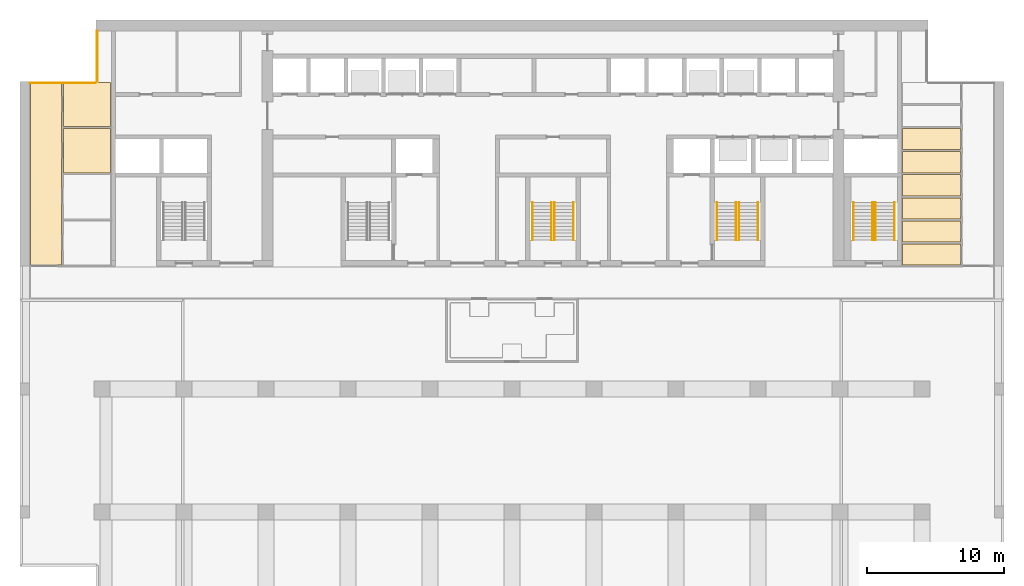
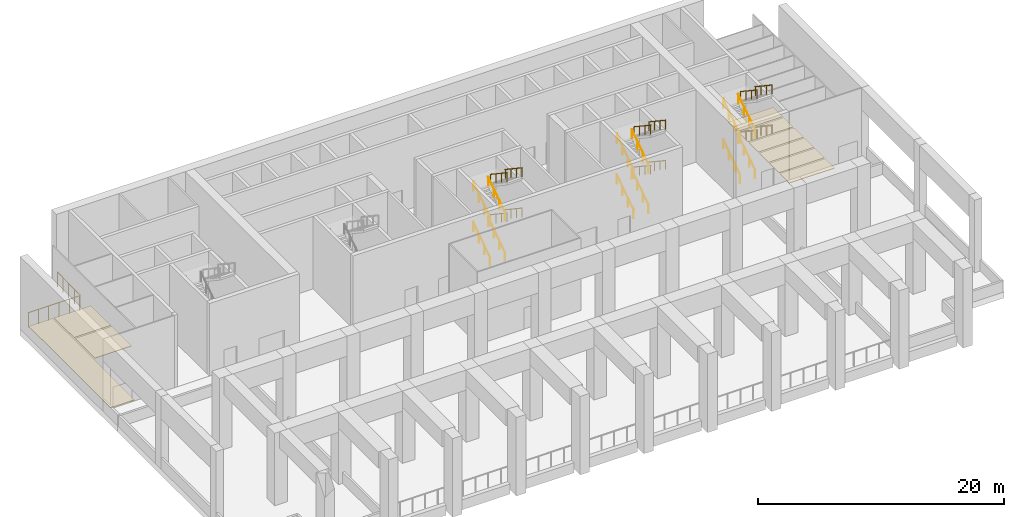
# One storey, part 8 of 10: 26 railings, 9 coverings, 3 elements without a shape of their own.
"""IFC4 building model written with IfcOpenShell, lengths in metres."""

from ifc_helpers import new_model, si_unit, direction, frame, origin, origin_2d, place, context, subcontext, project, spatial, polyline, circle, outline, extrude, material, layer, layer_set, type_object, element, aggregate, save


model = new_model("IFC4")

# Units and contexts
model_context = context("Model", 3, precision=1e-05, world=origin(), true_north=direction((0.0, 1.0)))
body_context = subcontext(model_context, "Body", "Model", "MODEL_VIEW")
ifc_project = project(units=[si_unit("LENGTHUNIT", "METRE"), si_unit("AREAUNIT", "SQUARE_METRE"), si_unit("VOLUMEUNIT", "CUBIC_METRE"), si_unit("PLANEANGLEUNIT", "RADIAN"), si_unit("MASSUNIT", "GRAM", prefix="KILO")], contexts=[model_context])

# Site, building, storey
site_placement = place(None, origin())
site = spatial("IfcSite", under=ifc_project, at=site_placement, CompositionType="ELEMENT")
building_placement = place(site_placement, origin())
building = spatial("IfcBuilding", under=site, at=building_placement, Name="Calvaro Tower", CompositionType="ELEMENT")
storey_placement = place(building_placement, frame((0.0, 0.0, 158.75)))
storey = spatial("IfcBuildingStorey", under=building, at=storey_placement, Name="L40", CompositionType="ELEMENT", Elevation=158.75)

# Coverings
ifc_material_1 = material(Name="Cement screed with carpet tile finish")
ifc_layer = layer(ifc_material_1, 0.050048828125)
ifc_layer_set = layer_set([ifc_layer], Name="Cement screed with carpet tile finish")
covering_type = type_object("IfcCoveringType", Name="Floor finish 50", PredefinedType="FLOORING", material=ifc_layer_set)
covering_1_placement = place(storey_placement, origin())
element("IfcCovering", 1, at=covering_1_placement, inside=storey, type_object=covering_type, Name="Floor finish 24.02", PredefinedType="FLOORING", context=body_context, shape_type="SweptSolid", body=[
    extrude(outline(polyline([(0.77001953125, 28.070068359375), (0.77001953125, 41.429931640625), (3.030029296875, 41.429931640625), (3.030029296875, 28.070068359375), (0.77001953125, 28.070068359375)])), origin(), (0.0, 0.0, 1.0), 0.050048828125),
])
covering_2_placement = place(storey_placement, origin())
element("IfcCovering", 2, at=covering_2_placement, inside=storey, type_object=covering_type, Name="Floor finish 24.17", PredefinedType="FLOORING", context=body_context, shape_type="SweptSolid", body=[
    extrude(outline(polyline([(3.169921875, 38.050048828125), (6.6298828125, 38.050048828125), (6.6298828125, 34.820068359375), (3.169921875, 34.820068359375), (3.169921875, 38.050048828125)])), origin(), (0.0, 0.0, 1.0), 0.050048828125),
])
covering_3_placement = place(storey_placement, origin())
element("IfcCovering", 3, at=covering_3_placement, inside=storey, type_object=covering_type, Name="Floor finish 24.20", PredefinedType="FLOORING", context=body_context, shape_type="SweptSolid", body=[
    extrude(outline(polyline([(3.169921875, 41.429931640625), (6.6298828125, 41.429931640625), (6.6298828125, 38.18994140625), (3.169921875, 38.18994140625), (3.169921875, 41.429931640625)])), origin(), (0.0, 0.0, 1.0), 0.050048828125),
])
covering_4_placement = place(storey_placement, origin())
element("IfcCovering", 4, at=covering_4_placement, inside=storey, type_object=covering_type, Name="Floor finish 24.10", PredefinedType="FLOORING", context=body_context, shape_type="SweptSolid", body=[
    extrude(outline(polyline([(64.570068359375, 28.070068359375), (64.570068359375, 29.6201171875), (68.830078125, 29.6201171875), (68.830078125, 28.070068359375), (64.570068359375, 28.070068359375)])), origin(), (0.0, 0.0, 1.0), 0.050048828125),
])
covering_5_placement = place(storey_placement, origin())
element("IfcCovering", 5, at=covering_5_placement, inside=storey, type_object=covering_type, Name="Floor finish 24.12", PredefinedType="FLOORING", context=body_context, shape_type="SweptSolid", body=[
    extrude(outline(polyline([(64.570068359375, 29.760009765625), (64.570068359375, 31.31005859375), (68.830078125, 31.31005859375), (68.830078125, 29.760009765625), (64.570068359375, 29.760009765625)])), origin(), (0.0, 0.0, 1.0), 0.050048828125),
])
covering_6_placement = place(storey_placement, origin())
element("IfcCovering", 6, at=covering_6_placement, inside=storey, type_object=covering_type, Name="Floor finish 24.13", PredefinedType="FLOORING", context=body_context, shape_type="SweptSolid", body=[
    extrude(outline(polyline([(64.570068359375, 31.449951171875), (64.570068359375, 32.989990234375), (68.830078125, 32.989990234375), (68.830078125, 31.449951171875), (64.570068359375, 31.449951171875)])), origin(), (0.0, 0.0, 1.0), 0.050048828125),
])
covering_7_placement = place(storey_placement, origin())
element("IfcCovering", 7, at=covering_7_placement, inside=storey, type_object=covering_type, Name="Floor finish 24.15", PredefinedType="FLOORING", context=body_context, shape_type="SweptSolid", body=[
    extrude(outline(polyline([(64.570068359375, 33.1298828125), (64.570068359375, 34.679931640625), (68.830078125, 34.679931640625), (68.830078125, 33.1298828125), (64.570068359375, 33.1298828125)])), origin(), (0.0, 0.0, 1.0), 0.050048828125),
])
covering_8_placement = place(storey_placement, origin())
element("IfcCovering", 8, at=covering_8_placement, inside=storey, type_object=covering_type, Name="Floor finish 24.16", PredefinedType="FLOORING", context=body_context, shape_type="SweptSolid", body=[
    extrude(outline(polyline([(64.570068359375, 34.820068359375), (64.570068359375, 36.3701171875), (68.830078125, 36.3701171875), (68.830078125, 34.820068359375), (64.570068359375, 34.820068359375)])), origin(), (0.0, 0.0, 1.0), 0.050048828125),
])
covering_9_placement = place(storey_placement, origin())
element("IfcCovering", 9, at=covering_9_placement, inside=storey, type_object=covering_type, Name="Floor finish 24.18", PredefinedType="FLOORING", context=body_context, shape_type="SweptSolid", body=[
    extrude(outline(polyline([(64.570068359375, 36.510009765625), (64.570068359375, 38.050048828125), (68.830078125, 38.050048828125), (68.830078125, 36.510009765625), (64.570068359375, 36.510009765625)])), origin(), (0.0, 0.0, 1.0), 0.050048828125),
])

# Railings
ifc_material_2 = material(Name="Stainless steel", Category="steel")
railing_type_1 = type_object("IfcRailingType", Name="Guard 1450", PredefinedType="GUARDRAIL", material=ifc_material_2)
railing_1_placement = place(storey_placement, frame((0.699951171875, 41.39990234375, 0.0)))
element("IfcRailing", 10, at=railing_1_placement, inside=storey, type_object=railing_type_1, Name="Edge guard", PredefinedType="GUARDRAIL", context=body_context, shape_type="SweptSolid", body=[
    extrude(circle(Radius=0.02392578125, at=origin_2d()), frame((0.0, 0.0, 1.42578125), z_axis=(1.0, 0.0, 0.0), x_axis=(0.0, 1.0, 0.0)), (0.0, 0.0, 1.0), 4.85009765625),
    extrude(circle(Radius=0.02099609375, at=origin_2d()), frame((0.02099609375, 0.0, 0.0)), (0.0, 0.0, 1.0), 1.40185546875),
    extrude(circle(Radius=0.02099609375, at=origin_2d()), frame((0.969970703125, 0.0, 0.0)), (0.0, 0.0, 1.0), 1.40185546875),
    extrude(circle(Radius=0.02099609375, at=origin_2d()), frame((1.93994140625, 0.0, 0.0)), (0.0, 0.0, 1.0), 1.40185546875),
    extrude(circle(Radius=0.02099609375, at=origin_2d()), frame((2.91015625, 0.0, 0.0)), (0.0, 0.0, 1.0), 1.40185546875),
    extrude(circle(Radius=0.02099609375, at=origin_2d()), frame((3.880126953125, 0.0, 0.0)), (0.0, 0.0, 1.0), 1.40185546875),
    extrude(circle(Radius=0.02099609375, at=origin_2d()), frame((4.8291015625, 0.0, 0.0)), (0.0, 0.0, 1.0), 1.40185546875),
])
railing_2_placement = place(storey_placement, frame((5.64990234375, 41.5, 0.0)))
element("IfcRailing", 11, at=railing_2_placement, inside=storey, type_object=railing_type_1, Name="Edge guard", PredefinedType="GUARDRAIL", context=body_context, shape_type="SweptSolid", body=[
    extrude(circle(Radius=0.02392578125, at=origin_2d()), frame((0.0, 0.0, 1.42578125), z_axis=(0.0, 1.0, 0.0), x_axis=(-1.0, 0.0, 0.0)), (0.0, 0.0, 1.0), 3.699951171875),
    extrude(circle(Radius=0.02099609375, at=origin_2d()), frame((0.0, 0.02099609375, 0.0)), (0.0, 0.0, 1.0), 1.40185546875),
    extrude(circle(Radius=0.02099609375, at=origin_2d()), frame((0.0, 0.925048828125, 0.0)), (0.0, 0.0, 1.0), 1.40185546875),
    extrude(circle(Radius=0.02099609375, at=origin_2d()), frame((0.0, 1.85009765625, 0.0)), (0.0, 0.0, 1.0), 1.40185546875),
    extrude(circle(Radius=0.02099609375, at=origin_2d()), frame((0.0, 2.77490234375, 0.0)), (0.0, 0.0, 1.0), 1.40185546875),
    extrude(circle(Radius=0.02099609375, at=origin_2d()), frame((0.0, 3.678955078125, 0.0)), (0.0, 0.0, 1.0), 1.40185546875),
])

# Stair, railings
ifc_material_3 = material(Name="Concrete C40/50", Category="concrete")
stair_type = type_object("IfcStairType", Name="Exit stair 1400 4 flights", PredefinedType="DOUBLE_RETURN_STAIR", material=ifc_material_3)
stair_1_placement = place(storey_placement, origin())
stair_1 = element("IfcStair", 12, at=stair_1_placement, inside=storey, type_object=stair_type, Name="Exit stair S3", PredefinedType="DOUBLE_RETURN_STAIR")
ifc_material_4 = material(Name="Stainless steel", Category="steel")
railing_type_2 = type_object("IfcRailingType", Name="Stair handrail", PredefinedType="HANDRAIL", material=ifc_material_4)
railing_3_placement = place(storey_placement, frame((38.89990234375, 29.89990234375, 0.166748046875)))
railing_3 = element("IfcRailing", 13, at=railing_3_placement, type_object=railing_type_2, Name="Exit stair 3 handrail", PredefinedType="HANDRAIL", context=body_context, shape_type="SweptSolid", body=[
    extrude(circle(Radius=0.02392578125, at=origin_2d()), frame((0.0, 0.0, 0.8759765625), z_axis=(0.0, 0.832061658642, 0.554683149391), x_axis=(-1.0, 0.0, 0.0)), (0.0, 0.0, 1.0), 3.304931640625),
    extrude(circle(Radius=0.02099609375, at=origin_2d()), frame((0.0, 0.017578125, 0.01171875)), (0.0, 0.0, 1.0), 0.851806640625),
    extrude(circle(Radius=0.02099609375, at=origin_2d()), frame((0.0, 0.916748046875, 0.611083984375)), (0.0, 0.0, 1.0), 0.851806640625),
    extrude(circle(Radius=0.02099609375, at=origin_2d()), frame((0.0, 1.833251953125, 1.22216796875)), (0.0, 0.0, 1.0), 0.851806640625),
    extrude(circle(Radius=0.02099609375, at=origin_2d()), frame((0.0, 2.732421875, 1.821533203125)), (0.0, 0.0, 1.0), 0.851806640625),
])
railing_4_placement = place(storey_placement, frame((37.5, 29.89990234375, 0.166748046875)))
railing_4 = element("IfcRailing", 14, at=railing_4_placement, type_object=railing_type_2, Name="Exit stair 3 handrail", PredefinedType="HANDRAIL", context=body_context, shape_type="SweptSolid", body=[
    extrude(circle(Radius=0.02392578125, at=origin_2d()), frame((0.0, 0.0, 0.8759765625), z_axis=(0.0, 0.832061658642, 0.554683149391), x_axis=(-1.0, 0.0, 0.0)), (0.0, 0.0, 1.0), 3.304931640625),
    extrude(circle(Radius=0.02099609375, at=origin_2d()), frame((0.0, 0.017578125, 0.01171875)), (0.0, 0.0, 1.0), 0.851806640625),
    extrude(circle(Radius=0.02099609375, at=origin_2d()), frame((0.0, 0.916748046875, 0.611083984375)), (0.0, 0.0, 1.0), 0.851806640625),
    extrude(circle(Radius=0.02099609375, at=origin_2d()), frame((0.0, 1.833251953125, 1.22216796875)), (0.0, 0.0, 1.0), 0.851806640625),
    extrude(circle(Radius=0.02099609375, at=origin_2d()), frame((0.0, 2.732421875, 1.821533203125)), (0.0, 0.0, 1.0), 0.851806640625),
])
railing_5_placement = place(storey_placement, frame((39.10009765625, 32.64990234375, 2.166748046875)))
railing_5 = element("IfcRailing", 15, at=railing_5_placement, type_object=railing_type_2, Name="Exit stair 3 handrail", PredefinedType="HANDRAIL", context=body_context, shape_type="SweptSolid", body=[
    extrude(circle(Radius=0.02392578125, at=origin_2d()), frame((0.0, 0.0, 0.8759765625), z_axis=(0.0, -0.832061658642, 0.554683149391), x_axis=(1.0, 0.0, 0.0)), (0.0, 0.0, 1.0), 3.304931640625),
    extrude(circle(Radius=0.02099609375, at=origin_2d()), frame((0.0, -0.017578125, 0.01171875)), (0.0, 0.0, 1.0), 0.851806640625),
    extrude(circle(Radius=0.02099609375, at=origin_2d()), frame((0.0, -0.916748046875, 0.611083984375)), (0.0, 0.0, 1.0), 0.851806640625),
    extrude(circle(Radius=0.02099609375, at=origin_2d()), frame((0.0, -1.833251953125, 1.22216796875)), (0.0, 0.0, 1.0), 0.851806640625),
    extrude(circle(Radius=0.02099609375, at=origin_2d()), frame((0.0, -2.732421875, 1.821533203125)), (0.0, 0.0, 1.0), 0.851806640625),
])
railing_6_placement = place(storey_placement, frame((40.5, 32.64990234375, 2.166748046875)))
railing_6 = element("IfcRailing", 16, at=railing_6_placement, type_object=railing_type_2, Name="Exit stair 3 handrail", PredefinedType="HANDRAIL", context=body_context, shape_type="SweptSolid", body=[
    extrude(circle(Radius=0.02392578125, at=origin_2d()), frame((0.0, 0.0, 0.8759765625), z_axis=(0.0, -0.832061658642, 0.554683149391), x_axis=(1.0, 0.0, 0.0)), (0.0, 0.0, 1.0), 3.304931640625),
    extrude(circle(Radius=0.02099609375, at=origin_2d()), frame((0.0, -0.017578125, 0.01171875)), (0.0, 0.0, 1.0), 0.851806640625),
    extrude(circle(Radius=0.02099609375, at=origin_2d()), frame((0.0, -0.916748046875, 0.611083984375)), (0.0, 0.0, 1.0), 0.851806640625),
    extrude(circle(Radius=0.02099609375, at=origin_2d()), frame((0.0, -1.833251953125, 1.22216796875)), (0.0, 0.0, 1.0), 0.851806640625),
    extrude(circle(Radius=0.02099609375, at=origin_2d()), frame((0.0, -2.732421875, 1.821533203125)), (0.0, 0.0, 1.0), 0.851806640625),
])
railing_7_placement = place(storey_placement, frame((38.89990234375, 29.89990234375, 4.166748046875)))
railing_7 = element("IfcRailing", 17, at=railing_7_placement, type_object=railing_type_2, Name="Exit stair 3 handrail", PredefinedType="HANDRAIL", context=body_context, shape_type="SweptSolid", body=[
    extrude(circle(Radius=0.02392578125, at=origin_2d()), frame((0.0, 0.0, 0.8759765625), z_axis=(0.0, 0.832061658642, 0.554683149391), x_axis=(-1.0, 0.0, 0.0)), (0.0, 0.0, 1.0), 3.304931640625),
    extrude(circle(Radius=0.02099609375, at=origin_2d()), frame((0.0, 0.017578125, 0.01171875)), (0.0, 0.0, 1.0), 0.851806640625),
    extrude(circle(Radius=0.02099609375, at=origin_2d()), frame((0.0, 0.916748046875, 0.611083984375)), (0.0, 0.0, 1.0), 0.851806640625),
    extrude(circle(Radius=0.02099609375, at=origin_2d()), frame((0.0, 1.833251953125, 1.22216796875)), (0.0, 0.0, 1.0), 0.851806640625),
    extrude(circle(Radius=0.02099609375, at=origin_2d()), frame((0.0, 2.732421875, 1.821533203125)), (0.0, 0.0, 1.0), 0.851806640625),
])
railing_8_placement = place(storey_placement, frame((37.5, 29.89990234375, 4.166748046875)))
railing_8 = element("IfcRailing", 18, at=railing_8_placement, type_object=railing_type_2, Name="Exit stair 3 handrail", PredefinedType="HANDRAIL", context=body_context, shape_type="SweptSolid", body=[
    extrude(circle(Radius=0.02392578125, at=origin_2d()), frame((0.0, 0.0, 0.8759765625), z_axis=(0.0, 0.832061658642, 0.554683149391), x_axis=(-1.0, 0.0, 0.0)), (0.0, 0.0, 1.0), 3.304931640625),
    extrude(circle(Radius=0.02099609375, at=origin_2d()), frame((0.0, 0.017578125, 0.01171875)), (0.0, 0.0, 1.0), 0.851806640625),
    extrude(circle(Radius=0.02099609375, at=origin_2d()), frame((0.0, 0.916748046875, 0.611083984375)), (0.0, 0.0, 1.0), 0.851806640625),
    extrude(circle(Radius=0.02099609375, at=origin_2d()), frame((0.0, 1.833251953125, 1.22216796875)), (0.0, 0.0, 1.0), 0.851806640625),
    extrude(circle(Radius=0.02099609375, at=origin_2d()), frame((0.0, 2.732421875, 1.821533203125)), (0.0, 0.0, 1.0), 0.851806640625),
])
railing_9_placement = place(storey_placement, frame((39.10009765625, 32.64990234375, 6.166748046875)))
railing_9 = element("IfcRailing", 19, at=railing_9_placement, type_object=railing_type_2, Name="Exit stair 3 handrail", PredefinedType="HANDRAIL", context=body_context, shape_type="SweptSolid", body=[
    extrude(circle(Radius=0.02392578125, at=origin_2d()), frame((0.0, 0.0, 0.8759765625), z_axis=(0.0, -0.832061658642, 0.554683149391), x_axis=(1.0, 0.0, 0.0)), (0.0, 0.0, 1.0), 3.304931640625),
    extrude(circle(Radius=0.02099609375, at=origin_2d()), frame((0.0, -0.017578125, 0.01171875)), (0.0, 0.0, 1.0), 0.851806640625),
    extrude(circle(Radius=0.02099609375, at=origin_2d()), frame((0.0, -0.916748046875, 0.611083984375)), (0.0, 0.0, 1.0), 0.851806640625),
    extrude(circle(Radius=0.02099609375, at=origin_2d()), frame((0.0, -1.833251953125, 1.22216796875)), (0.0, 0.0, 1.0), 0.851806640625),
    extrude(circle(Radius=0.02099609375, at=origin_2d()), frame((0.0, -2.732421875, 1.821533203125)), (0.0, 0.0, 1.0), 0.851806640625),
])
railing_10_placement = place(storey_placement, frame((40.5, 32.64990234375, 6.166748046875)))
railing_10 = element("IfcRailing", 20, at=railing_10_placement, type_object=railing_type_2, Name="Exit stair 3 handrail", PredefinedType="HANDRAIL", context=body_context, shape_type="SweptSolid", body=[
    extrude(circle(Radius=0.02392578125, at=origin_2d()), frame((0.0, 0.0, 0.8759765625), z_axis=(0.0, -0.832061658642, 0.554683149391), x_axis=(1.0, 0.0, 0.0)), (0.0, 0.0, 1.0), 3.304931640625),
    extrude(circle(Radius=0.02099609375, at=origin_2d()), frame((0.0, -0.017578125, 0.01171875)), (0.0, 0.0, 1.0), 0.851806640625),
    extrude(circle(Radius=0.02099609375, at=origin_2d()), frame((0.0, -0.916748046875, 0.611083984375)), (0.0, 0.0, 1.0), 0.851806640625),
    extrude(circle(Radius=0.02099609375, at=origin_2d()), frame((0.0, -1.833251953125, 1.22216796875)), (0.0, 0.0, 1.0), 0.851806640625),
    extrude(circle(Radius=0.02099609375, at=origin_2d()), frame((0.0, -2.732421875, 1.821533203125)), (0.0, 0.0, 1.0), 0.851806640625),
])
aggregate(stair_1, [railing_3, railing_4, railing_5, railing_6, railing_7, railing_8, railing_9, railing_10])

stair_2_placement = place(storey_placement, origin())
stair_2 = element("IfcStair", 21, at=stair_2_placement, inside=storey, type_object=stair_type, Name="Exit stair S4", PredefinedType="DOUBLE_RETURN_STAIR")
railing_11_placement = place(storey_placement, frame((52.39990234375, 29.89990234375, 0.166748046875)))
railing_11 = element("IfcRailing", 22, at=railing_11_placement, type_object=railing_type_2, Name="Exit stair 4 handrail", PredefinedType="HANDRAIL", context=body_context, shape_type="SweptSolid", body=[
    extrude(circle(Radius=0.02392578125, at=origin_2d()), frame((0.0, 0.0, 0.8759765625), z_axis=(0.0, 0.832061658642, 0.554683149391), x_axis=(-1.0, 0.0, 0.0)), (0.0, 0.0, 1.0), 3.304931640625),
    extrude(circle(Radius=0.02099609375, at=origin_2d()), frame((0.0, 0.017578125, 0.01171875)), (0.0, 0.0, 1.0), 0.851806640625),
    extrude(circle(Radius=0.02099609375, at=origin_2d()), frame((0.0, 0.916748046875, 0.611083984375)), (0.0, 0.0, 1.0), 0.851806640625),
    extrude(circle(Radius=0.02099609375, at=origin_2d()), frame((0.0, 1.833251953125, 1.22216796875)), (0.0, 0.0, 1.0), 0.851806640625),
    extrude(circle(Radius=0.02099609375, at=origin_2d()), frame((0.0, 2.732421875, 1.821533203125)), (0.0, 0.0, 1.0), 0.851806640625),
])
railing_12_placement = place(storey_placement, frame((51.0, 29.89990234375, 0.166748046875)))
railing_12 = element("IfcRailing", 23, at=railing_12_placement, type_object=railing_type_2, Name="Exit stair 4 handrail", PredefinedType="HANDRAIL", context=body_context, shape_type="SweptSolid", body=[
    extrude(circle(Radius=0.02392578125, at=origin_2d()), frame((0.0, 0.0, 0.8759765625), z_axis=(0.0, 0.832061658642, 0.554683149391), x_axis=(-1.0, 0.0, 0.0)), (0.0, 0.0, 1.0), 3.304931640625),
    extrude(circle(Radius=0.02099609375, at=origin_2d()), frame((0.0, 0.017578125, 0.01171875)), (0.0, 0.0, 1.0), 0.851806640625),
    extrude(circle(Radius=0.02099609375, at=origin_2d()), frame((0.0, 0.916748046875, 0.611083984375)), (0.0, 0.0, 1.0), 0.851806640625),
    extrude(circle(Radius=0.02099609375, at=origin_2d()), frame((0.0, 1.833251953125, 1.22216796875)), (0.0, 0.0, 1.0), 0.851806640625),
    extrude(circle(Radius=0.02099609375, at=origin_2d()), frame((0.0, 2.732421875, 1.821533203125)), (0.0, 0.0, 1.0), 0.851806640625),
])
railing_13_placement = place(storey_placement, frame((52.60009765625, 32.64990234375, 2.166748046875)))
railing_13 = element("IfcRailing", 24, at=railing_13_placement, type_object=railing_type_2, Name="Exit stair 4 handrail", PredefinedType="HANDRAIL", context=body_context, shape_type="SweptSolid", body=[
    extrude(circle(Radius=0.02392578125, at=origin_2d()), frame((0.0, 0.0, 0.8759765625), z_axis=(0.0, -0.832061658642, 0.554683149391), x_axis=(1.0, 0.0, 0.0)), (0.0, 0.0, 1.0), 3.304931640625),
    extrude(circle(Radius=0.02099609375, at=origin_2d()), frame((0.0, -0.017578125, 0.01171875)), (0.0, 0.0, 1.0), 0.851806640625),
    extrude(circle(Radius=0.02099609375, at=origin_2d()), frame((0.0, -0.916748046875, 0.611083984375)), (0.0, 0.0, 1.0), 0.851806640625),
    extrude(circle(Radius=0.02099609375, at=origin_2d()), frame((0.0, -1.833251953125, 1.22216796875)), (0.0, 0.0, 1.0), 0.851806640625),
    extrude(circle(Radius=0.02099609375, at=origin_2d()), frame((0.0, -2.732421875, 1.821533203125)), (0.0, 0.0, 1.0), 0.851806640625),
])
railing_14_placement = place(storey_placement, frame((54.0, 32.64990234375, 2.166748046875)))
railing_14 = element("IfcRailing", 25, at=railing_14_placement, type_object=railing_type_2, Name="Exit stair 4 handrail", PredefinedType="HANDRAIL", context=body_context, shape_type="SweptSolid", body=[
    extrude(circle(Radius=0.02392578125, at=origin_2d()), frame((0.0, 0.0, 0.8759765625), z_axis=(0.0, -0.832061658642, 0.554683149391), x_axis=(1.0, 0.0, 0.0)), (0.0, 0.0, 1.0), 3.304931640625),
    extrude(circle(Radius=0.02099609375, at=origin_2d()), frame((0.0, -0.017578125, 0.01171875)), (0.0, 0.0, 1.0), 0.851806640625),
    extrude(circle(Radius=0.02099609375, at=origin_2d()), frame((0.0, -0.916748046875, 0.611083984375)), (0.0, 0.0, 1.0), 0.851806640625),
    extrude(circle(Radius=0.02099609375, at=origin_2d()), frame((0.0, -1.833251953125, 1.22216796875)), (0.0, 0.0, 1.0), 0.851806640625),
    extrude(circle(Radius=0.02099609375, at=origin_2d()), frame((0.0, -2.732421875, 1.821533203125)), (0.0, 0.0, 1.0), 0.851806640625),
])
railing_15_placement = place(storey_placement, frame((52.39990234375, 29.89990234375, 4.166748046875)))
railing_15 = element("IfcRailing", 26, at=railing_15_placement, type_object=railing_type_2, Name="Exit stair 4 handrail", PredefinedType="HANDRAIL", context=body_context, shape_type="SweptSolid", body=[
    extrude(circle(Radius=0.02392578125, at=origin_2d()), frame((0.0, 0.0, 0.8759765625), z_axis=(0.0, 0.832061658642, 0.554683149391), x_axis=(-1.0, 0.0, 0.0)), (0.0, 0.0, 1.0), 3.304931640625),
    extrude(circle(Radius=0.02099609375, at=origin_2d()), frame((0.0, 0.017578125, 0.01171875)), (0.0, 0.0, 1.0), 0.851806640625),
    extrude(circle(Radius=0.02099609375, at=origin_2d()), frame((0.0, 0.916748046875, 0.611083984375)), (0.0, 0.0, 1.0), 0.851806640625),
    extrude(circle(Radius=0.02099609375, at=origin_2d()), frame((0.0, 1.833251953125, 1.22216796875)), (0.0, 0.0, 1.0), 0.851806640625),
    extrude(circle(Radius=0.02099609375, at=origin_2d()), frame((0.0, 2.732421875, 1.821533203125)), (0.0, 0.0, 1.0), 0.851806640625),
])
railing_16_placement = place(storey_placement, frame((51.0, 29.89990234375, 4.166748046875)))
railing_16 = element("IfcRailing", 27, at=railing_16_placement, type_object=railing_type_2, Name="Exit stair 4 handrail", PredefinedType="HANDRAIL", context=body_context, shape_type="SweptSolid", body=[
    extrude(circle(Radius=0.02392578125, at=origin_2d()), frame((0.0, 0.0, 0.8759765625), z_axis=(0.0, 0.832061658642, 0.554683149391), x_axis=(-1.0, 0.0, 0.0)), (0.0, 0.0, 1.0), 3.304931640625),
    extrude(circle(Radius=0.02099609375, at=origin_2d()), frame((0.0, 0.017578125, 0.01171875)), (0.0, 0.0, 1.0), 0.851806640625),
    extrude(circle(Radius=0.02099609375, at=origin_2d()), frame((0.0, 0.916748046875, 0.611083984375)), (0.0, 0.0, 1.0), 0.851806640625),
    extrude(circle(Radius=0.02099609375, at=origin_2d()), frame((0.0, 1.833251953125, 1.22216796875)), (0.0, 0.0, 1.0), 0.851806640625),
    extrude(circle(Radius=0.02099609375, at=origin_2d()), frame((0.0, 2.732421875, 1.821533203125)), (0.0, 0.0, 1.0), 0.851806640625),
])
railing_17_placement = place(storey_placement, frame((52.60009765625, 32.64990234375, 6.166748046875)))
railing_17 = element("IfcRailing", 28, at=railing_17_placement, type_object=railing_type_2, Name="Exit stair 4 handrail", PredefinedType="HANDRAIL", context=body_context, shape_type="SweptSolid", body=[
    extrude(circle(Radius=0.02392578125, at=origin_2d()), frame((0.0, 0.0, 0.8759765625), z_axis=(0.0, -0.832061658642, 0.554683149391), x_axis=(1.0, 0.0, 0.0)), (0.0, 0.0, 1.0), 3.304931640625),
    extrude(circle(Radius=0.02099609375, at=origin_2d()), frame((0.0, -0.017578125, 0.01171875)), (0.0, 0.0, 1.0), 0.851806640625),
    extrude(circle(Radius=0.02099609375, at=origin_2d()), frame((0.0, -0.916748046875, 0.611083984375)), (0.0, 0.0, 1.0), 0.851806640625),
    extrude(circle(Radius=0.02099609375, at=origin_2d()), frame((0.0, -1.833251953125, 1.22216796875)), (0.0, 0.0, 1.0), 0.851806640625),
    extrude(circle(Radius=0.02099609375, at=origin_2d()), frame((0.0, -2.732421875, 1.821533203125)), (0.0, 0.0, 1.0), 0.851806640625),
])
railing_18_placement = place(storey_placement, frame((54.0, 32.64990234375, 6.166748046875)))
railing_18 = element("IfcRailing", 29, at=railing_18_placement, type_object=railing_type_2, Name="Exit stair 4 handrail", PredefinedType="HANDRAIL", context=body_context, shape_type="SweptSolid", body=[
    extrude(circle(Radius=0.02392578125, at=origin_2d()), frame((0.0, 0.0, 0.8759765625), z_axis=(0.0, -0.832061658642, 0.554683149391), x_axis=(1.0, 0.0, 0.0)), (0.0, 0.0, 1.0), 3.304931640625),
    extrude(circle(Radius=0.02099609375, at=origin_2d()), frame((0.0, -0.017578125, 0.01171875)), (0.0, 0.0, 1.0), 0.851806640625),
    extrude(circle(Radius=0.02099609375, at=origin_2d()), frame((0.0, -0.916748046875, 0.611083984375)), (0.0, 0.0, 1.0), 0.851806640625),
    extrude(circle(Radius=0.02099609375, at=origin_2d()), frame((0.0, -1.833251953125, 1.22216796875)), (0.0, 0.0, 1.0), 0.851806640625),
    extrude(circle(Radius=0.02099609375, at=origin_2d()), frame((0.0, -2.732421875, 1.821533203125)), (0.0, 0.0, 1.0), 0.851806640625),
])
aggregate(stair_2, [railing_11, railing_12, railing_13, railing_14, railing_15, railing_16, railing_17, railing_18])

stair_3_placement = place(storey_placement, origin())
stair_3 = element("IfcStair", 30, at=stair_3_placement, inside=storey, type_object=stair_type, Name="Exit stair S5", PredefinedType="DOUBLE_RETURN_STAIR")
railing_19_placement = place(storey_placement, frame((62.39990234375, 29.89990234375, 0.166748046875)))
railing_19 = element("IfcRailing", 31, at=railing_19_placement, type_object=railing_type_2, Name="Exit stair 5 handrail", PredefinedType="HANDRAIL", context=body_context, shape_type="SweptSolid", body=[
    extrude(circle(Radius=0.02392578125, at=origin_2d()), frame((0.0, 0.0, 0.8759765625), z_axis=(0.0, 0.832061658642, 0.554683149391), x_axis=(-1.0, 0.0, 0.0)), (0.0, 0.0, 1.0), 3.304931640625),
    extrude(circle(Radius=0.02099609375, at=origin_2d()), frame((0.0, 0.017578125, 0.01171875)), (0.0, 0.0, 1.0), 0.851806640625),
    extrude(circle(Radius=0.02099609375, at=origin_2d()), frame((0.0, 0.916748046875, 0.611083984375)), (0.0, 0.0, 1.0), 0.851806640625),
    extrude(circle(Radius=0.02099609375, at=origin_2d()), frame((0.0, 1.833251953125, 1.22216796875)), (0.0, 0.0, 1.0), 0.851806640625),
    extrude(circle(Radius=0.02099609375, at=origin_2d()), frame((0.0, 2.732421875, 1.821533203125)), (0.0, 0.0, 1.0), 0.851806640625),
])
railing_20_placement = place(storey_placement, frame((61.0, 29.89990234375, 0.166748046875)))
railing_20 = element("IfcRailing", 32, at=railing_20_placement, type_object=railing_type_2, Name="Exit stair 5 handrail", PredefinedType="HANDRAIL", context=body_context, shape_type="SweptSolid", body=[
    extrude(circle(Radius=0.02392578125, at=origin_2d()), frame((0.0, 0.0, 0.8759765625), z_axis=(0.0, 0.832061658642, 0.554683149391), x_axis=(-1.0, 0.0, 0.0)), (0.0, 0.0, 1.0), 3.304931640625),
    extrude(circle(Radius=0.02099609375, at=origin_2d()), frame((0.0, 0.017578125, 0.01171875)), (0.0, 0.0, 1.0), 0.851806640625),
    extrude(circle(Radius=0.02099609375, at=origin_2d()), frame((0.0, 0.916748046875, 0.611083984375)), (0.0, 0.0, 1.0), 0.851806640625),
    extrude(circle(Radius=0.02099609375, at=origin_2d()), frame((0.0, 1.833251953125, 1.22216796875)), (0.0, 0.0, 1.0), 0.851806640625),
    extrude(circle(Radius=0.02099609375, at=origin_2d()), frame((0.0, 2.732421875, 1.821533203125)), (0.0, 0.0, 1.0), 0.851806640625),
])
railing_21_placement = place(storey_placement, frame((62.60009765625, 32.64990234375, 2.166748046875)))
railing_21 = element("IfcRailing", 33, at=railing_21_placement, type_object=railing_type_2, Name="Exit stair 5 handrail", PredefinedType="HANDRAIL", context=body_context, shape_type="SweptSolid", body=[
    extrude(circle(Radius=0.02392578125, at=origin_2d()), frame((0.0, 0.0, 0.8759765625), z_axis=(0.0, -0.832061658642, 0.554683149391), x_axis=(1.0, 0.0, 0.0)), (0.0, 0.0, 1.0), 3.304931640625),
    extrude(circle(Radius=0.02099609375, at=origin_2d()), frame((0.0, -0.017578125, 0.01171875)), (0.0, 0.0, 1.0), 0.851806640625),
    extrude(circle(Radius=0.02099609375, at=origin_2d()), frame((0.0, -0.916748046875, 0.611083984375)), (0.0, 0.0, 1.0), 0.851806640625),
    extrude(circle(Radius=0.02099609375, at=origin_2d()), frame((0.0, -1.833251953125, 1.22216796875)), (0.0, 0.0, 1.0), 0.851806640625),
    extrude(circle(Radius=0.02099609375, at=origin_2d()), frame((0.0, -2.732421875, 1.821533203125)), (0.0, 0.0, 1.0), 0.851806640625),
])
railing_22_placement = place(storey_placement, frame((64.0, 32.64990234375, 2.166748046875)))
railing_22 = element("IfcRailing", 34, at=railing_22_placement, type_object=railing_type_2, Name="Exit stair 5 handrail", PredefinedType="HANDRAIL", context=body_context, shape_type="SweptSolid", body=[
    extrude(circle(Radius=0.02392578125, at=origin_2d()), frame((0.0, 0.0, 0.8759765625), z_axis=(0.0, -0.832061658642, 0.554683149391), x_axis=(1.0, 0.0, 0.0)), (0.0, 0.0, 1.0), 3.304931640625),
    extrude(circle(Radius=0.02099609375, at=origin_2d()), frame((0.0, -0.017578125, 0.01171875)), (0.0, 0.0, 1.0), 0.851806640625),
    extrude(circle(Radius=0.02099609375, at=origin_2d()), frame((0.0, -0.916748046875, 0.611083984375)), (0.0, 0.0, 1.0), 0.851806640625),
    extrude(circle(Radius=0.02099609375, at=origin_2d()), frame((0.0, -1.833251953125, 1.22216796875)), (0.0, 0.0, 1.0), 0.851806640625),
    extrude(circle(Radius=0.02099609375, at=origin_2d()), frame((0.0, -2.732421875, 1.821533203125)), (0.0, 0.0, 1.0), 0.851806640625),
])
railing_23_placement = place(storey_placement, frame((62.39990234375, 29.89990234375, 4.166748046875)))
railing_23 = element("IfcRailing", 35, at=railing_23_placement, type_object=railing_type_2, Name="Exit stair 5 handrail", PredefinedType="HANDRAIL", context=body_context, shape_type="SweptSolid", body=[
    extrude(circle(Radius=0.02392578125, at=origin_2d()), frame((0.0, 0.0, 0.8759765625), z_axis=(0.0, 0.832061658642, 0.554683149391), x_axis=(-1.0, 0.0, 0.0)), (0.0, 0.0, 1.0), 3.304931640625),
    extrude(circle(Radius=0.02099609375, at=origin_2d()), frame((0.0, 0.017578125, 0.01171875)), (0.0, 0.0, 1.0), 0.851806640625),
    extrude(circle(Radius=0.02099609375, at=origin_2d()), frame((0.0, 0.916748046875, 0.611083984375)), (0.0, 0.0, 1.0), 0.851806640625),
    extrude(circle(Radius=0.02099609375, at=origin_2d()), frame((0.0, 1.833251953125, 1.22216796875)), (0.0, 0.0, 1.0), 0.851806640625),
    extrude(circle(Radius=0.02099609375, at=origin_2d()), frame((0.0, 2.732421875, 1.821533203125)), (0.0, 0.0, 1.0), 0.851806640625),
])
railing_24_placement = place(storey_placement, frame((61.0, 29.89990234375, 4.166748046875)))
railing_24 = element("IfcRailing", 36, at=railing_24_placement, type_object=railing_type_2, Name="Exit stair 5 handrail", PredefinedType="HANDRAIL", context=body_context, shape_type="SweptSolid", body=[
    extrude(circle(Radius=0.02392578125, at=origin_2d()), frame((0.0, 0.0, 0.8759765625), z_axis=(0.0, 0.832061658642, 0.554683149391), x_axis=(-1.0, 0.0, 0.0)), (0.0, 0.0, 1.0), 3.304931640625),
    extrude(circle(Radius=0.02099609375, at=origin_2d()), frame((0.0, 0.017578125, 0.01171875)), (0.0, 0.0, 1.0), 0.851806640625),
    extrude(circle(Radius=0.02099609375, at=origin_2d()), frame((0.0, 0.916748046875, 0.611083984375)), (0.0, 0.0, 1.0), 0.851806640625),
    extrude(circle(Radius=0.02099609375, at=origin_2d()), frame((0.0, 1.833251953125, 1.22216796875)), (0.0, 0.0, 1.0), 0.851806640625),
    extrude(circle(Radius=0.02099609375, at=origin_2d()), frame((0.0, 2.732421875, 1.821533203125)), (0.0, 0.0, 1.0), 0.851806640625),
])
railing_25_placement = place(storey_placement, frame((62.60009765625, 32.64990234375, 6.166748046875)))
railing_25 = element("IfcRailing", 37, at=railing_25_placement, type_object=railing_type_2, Name="Exit stair 5 handrail", PredefinedType="HANDRAIL", context=body_context, shape_type="SweptSolid", body=[
    extrude(circle(Radius=0.02392578125, at=origin_2d()), frame((0.0, 0.0, 0.8759765625), z_axis=(0.0, -0.832061658642, 0.554683149391), x_axis=(1.0, 0.0, 0.0)), (0.0, 0.0, 1.0), 3.304931640625),
    extrude(circle(Radius=0.02099609375, at=origin_2d()), frame((0.0, -0.017578125, 0.01171875)), (0.0, 0.0, 1.0), 0.851806640625),
    extrude(circle(Radius=0.02099609375, at=origin_2d()), frame((0.0, -0.916748046875, 0.611083984375)), (0.0, 0.0, 1.0), 0.851806640625),
    extrude(circle(Radius=0.02099609375, at=origin_2d()), frame((0.0, -1.833251953125, 1.22216796875)), (0.0, 0.0, 1.0), 0.851806640625),
    extrude(circle(Radius=0.02099609375, at=origin_2d()), frame((0.0, -2.732421875, 1.821533203125)), (0.0, 0.0, 1.0), 0.851806640625),
])
railing_26_placement = place(storey_placement, frame((64.0, 32.64990234375, 6.166748046875)))
railing_26 = element("IfcRailing", 38, at=railing_26_placement, type_object=railing_type_2, Name="Exit stair 5 handrail", PredefinedType="HANDRAIL", context=body_context, shape_type="SweptSolid", body=[
    extrude(circle(Radius=0.02392578125, at=origin_2d()), frame((0.0, 0.0, 0.8759765625), z_axis=(0.0, -0.832061658642, 0.554683149391), x_axis=(1.0, 0.0, 0.0)), (0.0, 0.0, 1.0), 3.304931640625),
    extrude(circle(Radius=0.02099609375, at=origin_2d()), frame((0.0, -0.017578125, 0.01171875)), (0.0, 0.0, 1.0), 0.851806640625),
    extrude(circle(Radius=0.02099609375, at=origin_2d()), frame((0.0, -0.916748046875, 0.611083984375)), (0.0, 0.0, 1.0), 0.851806640625),
    extrude(circle(Radius=0.02099609375, at=origin_2d()), frame((0.0, -1.833251953125, 1.22216796875)), (0.0, 0.0, 1.0), 0.851806640625),
    extrude(circle(Radius=0.02099609375, at=origin_2d()), frame((0.0, -2.732421875, 1.821533203125)), (0.0, 0.0, 1.0), 0.851806640625),
])
aggregate(stair_3, [railing_19, railing_20, railing_21, railing_22, railing_23, railing_24, railing_25, railing_26])

save(model, "model.ifc")
